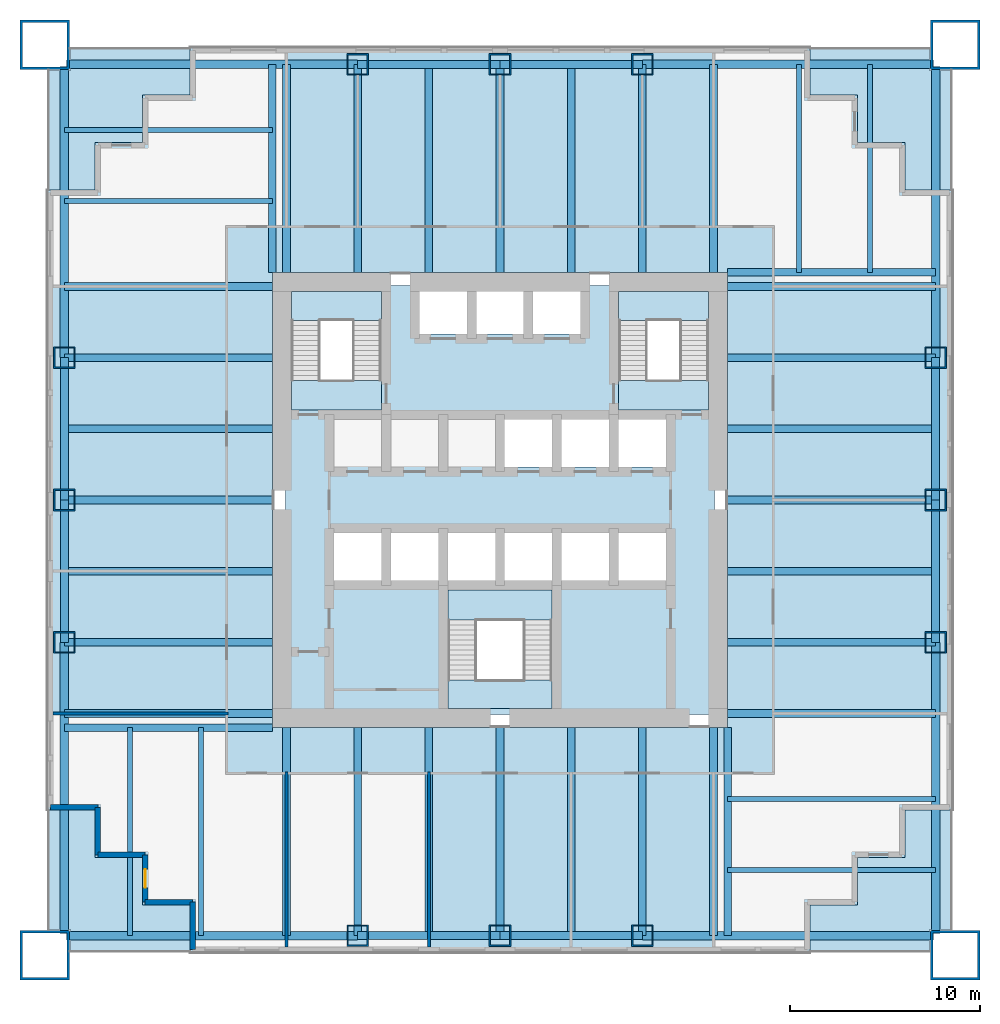
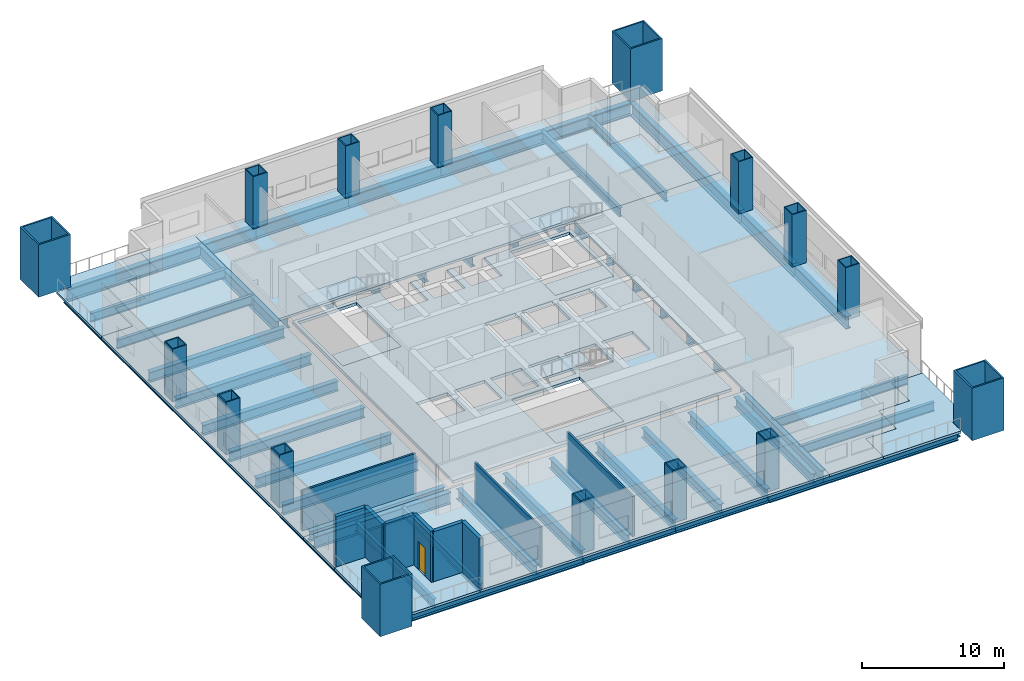
# One storey, part 1 of 6: 56 beams, 16 columns, 15 slabs, 9 walls, 1 door, 1 opening, 3 elements without a shape of their own.
"""IFC4 building model written with IfcOpenShell, lengths in metres."""

from ifc_helpers import new_model, si_unit, direction, frame, frame_2d, origin, origin_2d, place, context, subcontext, project, spatial, polyline, rectangle, hollow_rectangle, i_section, outline, extrude, material, layer, layer_set, material_profile, profile_set, type_object, element, fill, aggregate, save


model = new_model("IFC4")

# Units and contexts
model_context = context("Model", 3, precision=1e-05, world=origin(), true_north=direction((0.0, 1.0)))
body_context = subcontext(model_context, "Body", "Model", "MODEL_VIEW")
ifc_project = project(units=[si_unit("LENGTHUNIT", "METRE"), si_unit("AREAUNIT", "SQUARE_METRE"), si_unit("VOLUMEUNIT", "CUBIC_METRE"), si_unit("PLANEANGLEUNIT", "RADIAN"), si_unit("MASSUNIT", "GRAM", prefix="KILO")], contexts=[model_context])

# Site, building, storey
site_placement = place(None, origin())
site = spatial("IfcSite", under=ifc_project, at=site_placement, CompositionType="ELEMENT")
building_placement = place(site_placement, origin())
building = spatial("IfcBuilding", under=site, at=building_placement, Name="Tarangal Relay Tower", CompositionType="ELEMENT")
storey_placement = place(building_placement, frame((0.0, 0.0, 113.39990234375)))
storey = spatial("IfcBuildingStorey", under=building, at=storey_placement, Name="L22", CompositionType="ELEMENT", Elevation=113.39990234375)

# Columns
ifc_material_1 = material(Name="Steel ASTM A572 Grade 42", Category="steel")
ifc_material_profile_1 = material_profile(ifc_material_1, hollow_rectangle(XDim=2.60009765625, YDim=2.60009765625, WallThickness=0.1298828125, at=origin_2d()), Name="BOX2600X2600X130")
ifc_profile_set_1 = profile_set([ifc_material_profile_1], Name="Steel ASTM A572 Grade 42")
column_type_1 = type_object("IfcColumnType", Name="Mega column BOX2600X2600X130", PredefinedType="COLUMN", material=ifc_profile_set_1)
for number, where, z_axis, x_axis, name in (
    (1, (24.0, 24.0, 0.0), (0.0, 0.0, 1.0), (1.0, 0.0, 0.0), "Mega column MC2 NE L22"),
    (2, (24.0, -24.0, 0.0), (0.0, 0.0, 1.0), (1.0, 0.0, 0.0), "Mega column MC2 SE L22"),
    (3, (-24.0, -24.0, 0.0), (0.0, 0.0, 1.0), (1.0, 0.0, 0.0), "Mega column MC2 SW L22"),
    (4, (-24.0, 24.0, 0.0), (0.0, 0.0, 1.0), (1.0, 0.0, 0.0), "Mega column MC2 NW L22"),
):
    element("IfcColumn", number, at=place(storey_placement, frame(where, z_axis=z_axis, x_axis=x_axis)), inside=storey, type_object=column_type_1, Name=name, PredefinedType="COLUMN", context=body_context, shape_type="SweptSolid", body=[
        extrude(hollow_rectangle(XDim=2.60009765625, YDim=2.60009765625, WallThickness=0.1298828125, at=origin_2d()), origin(), (0.0, 0.0, 1.0), 4.5),
    ])
ifc_material_2 = material(Name="Steel ASTM A572 Grade 50", Category="steel")
ifc_material_profile_2 = material_profile(ifc_material_2, hollow_rectangle(XDim=1.14990234375, YDim=1.14990234375, WallThickness=0.074951171875, at=origin_2d()), Name="BOX1150X1150X75")
ifc_profile_set_2 = profile_set([ifc_material_profile_2], Name="Steel ASTM A572 Grade 50")
column_type_2 = type_object("IfcColumnType", Name="Perimeter column BOX1150X1150X75", PredefinedType="COLUMN", material=ifc_profile_set_2)
for number, where, z_axis, x_axis, name in (
    (5, (-7.5, 22.965087890625, 0.0), (0.0, 0.0, 1.0), (1.0, 0.0, 0.0), "Perimeter column PC3 N L22"),
    (6, (0.0, 22.965087890625, 0.0), (0.0, 0.0, 1.0), (1.0, 0.0, 0.0), "Perimeter column PC3 N L22"),
    (7, (7.5, 22.965087890625, 0.0), (0.0, 0.0, 1.0), (1.0, 0.0, 0.0), "Perimeter column PC3 N L22"),
    (8, (22.965087890625, 7.5, 0.0), (0.0, 0.0, 1.0), (1.0, 0.0, 0.0), "Perimeter column PC3 E L22"),
    (9, (22.965087890625, 0.0, 0.0), (0.0, 0.0, 1.0), (1.0, 0.0, 0.0), "Perimeter column PC3 E L22"),
    (10, (22.965087890625, -7.5, 0.0), (0.0, 0.0, 1.0), (1.0, 0.0, 0.0), "Perimeter column PC3 E L22"),
    (11, (7.5, -22.965087890625, 0.0), (0.0, 0.0, 1.0), (1.0, 0.0, 0.0), "Perimeter column PC3 S L22"),
    (12, (0.0, -22.965087890625, 0.0), (0.0, 0.0, 1.0), (1.0, 0.0, 0.0), "Perimeter column PC3 S L22"),
    (13, (-7.5, -22.965087890625, 0.0), (0.0, 0.0, 1.0), (1.0, 0.0, 0.0), "Perimeter column PC3 S L22"),
    (14, (-22.965087890625, -7.5, 0.0), (0.0, 0.0, 1.0), (1.0, 0.0, 0.0), "Perimeter column PC3 W L22"),
    (15, (-22.965087890625, 0.0, 0.0), (0.0, 0.0, 1.0), (1.0, 0.0, 0.0), "Perimeter column PC3 W L22"),
    (16, (-22.965087890625, 7.5, 0.0), (0.0, 0.0, 1.0), (1.0, 0.0, 0.0), "Perimeter column PC3 W L22"),
):
    element("IfcColumn", number, at=place(storey_placement, frame(where, z_axis=z_axis, x_axis=x_axis)), inside=storey, type_object=column_type_2, Name=name, PredefinedType="COLUMN", context=body_context, shape_type="SweptSolid", body=[
        extrude(hollow_rectangle(XDim=1.14990234375, YDim=1.14990234375, WallThickness=0.074951171875, at=origin_2d()), origin(), (0.0, 0.0, 1.0), 4.5),
    ])

# Beams
ifc_material_3 = material(Name="Steel ASTM A992", Category="steel")
ifc_material_profile_3 = material_profile(ifc_material_3, i_section(OverallWidth=0.2666015625, OverallDepth=0.76953125, WebThickness=0.015625, FlangeThickness=0.025390625, at=origin_2d()), Name="W30X132")
ifc_profile_set_3 = profile_set([ifc_material_profile_3], Name="Steel ASTM A992")
beam_type_1 = type_object("IfcBeamType", Name="Corner beam W30X132", PredefinedType="JOIST", material=ifc_profile_set_3)
for number, where, z_axis, x_axis, name in (
    (17, (15.75, 12.0, -0.584716796875), (0.0, 1.0, 0.0), (-1.0, 0.0, 0.0), "Corner beam CB13 N L22"),
    (18, (19.5, 12.0, -0.584716796875), (0.0, 1.0, 0.0), (-1.0, 0.0, 0.0), "Corner beam CB13 N L22"),
    (19, (12.0, -15.75, -0.584716796875), (1.0, 0.0, 0.0), (0.0, 1.0, 0.0), "Corner beam CB13 E L22"),
    (20, (12.0, -19.5, -0.584716796875), (1.0, 0.0, 0.0), (0.0, 1.0, 0.0), "Corner beam CB13 E L22"),
    (21, (-15.75, -12.0, -0.584716796875), (0.0, -1.0, 0.0), (1.0, 0.0, 0.0), "Corner beam CB13 S L22"),
    (22, (-19.5, -12.0, -0.584716796875), (0.0, -1.0, 0.0), (1.0, 0.0, 0.0), "Corner beam CB13 S L22"),
    (23, (-12.0, 15.75, -0.584716796875), (-1.0, 0.0, 0.0), (0.0, -1.0, 0.0), "Corner beam CB13 W L22"),
    (24, (-12.0, 19.5, -0.584716796875), (-1.0, 0.0, 0.0), (0.0, -1.0, 0.0), "Corner beam CB13 W L22"),
):
    element("IfcBeam", number, at=place(storey_placement, frame(where, z_axis=z_axis, x_axis=x_axis)), inside=storey, type_object=beam_type_1, Name=name, PredefinedType="JOIST", context=body_context, shape_type="SweptSolid", body=[
        extrude(i_section(OverallWidth=0.2666015625, OverallDepth=0.76953125, WebThickness=0.015625, FlangeThickness=0.025390625, at=origin_2d()), origin(), (0.0, 0.0, 1.0), 10.965087890625),
    ])
ifc_material_profile_4 = material_profile(ifc_material_3, i_section(OverallWidth=0.4013671875, OverallDepth=1.01611328125, WebThickness=0.02099609375, FlangeThickness=0.0400390625, at=origin_2d()), Name="W40X277")
ifc_profile_set_4 = profile_set([ifc_material_profile_4], Name="Steel ASTM A992")
beam_type_2 = type_object("IfcBeamType", Name="Corner girder W40X277", PredefinedType="BEAM", material=ifc_profile_set_4)
for number, where, z_axis, x_axis, name in (
    (25, (12.0, 12.0, -0.7080078125), (1.0, 0.0, 0.0), (0.0, 1.0, 0.0), "Corner girder CG3 N L22"),
    (26, (12.0, -12.0, -0.7080078125), (0.0, -1.0, 0.0), (1.0, 0.0, 0.0), "Corner girder CG3 E L22"),
    (27, (-12.0, -12.0, -0.7080078125), (-1.0, 0.0, 0.0), (0.0, -1.0, 0.0), "Corner girder CG3 S L22"),
    (28, (-12.0, 12.0, -0.7080078125), (0.0, 1.0, 0.0), (-1.0, 0.0, 0.0), "Corner girder CG3 W L22"),
):
    element("IfcBeam", number, at=place(storey_placement, frame(where, z_axis=z_axis, x_axis=x_axis)), inside=storey, type_object=beam_type_2, Name=name, PredefinedType="BEAM", context=body_context, shape_type="SweptSolid", body=[
        extrude(i_section(OverallWidth=0.4013671875, OverallDepth=1.01611328125, WebThickness=0.02099609375, FlangeThickness=0.0400390625, at=origin_2d()), origin(), (0.0, 0.0, 1.0), 10.965087890625),
    ])
ifc_material_profile_5 = material_profile(ifc_material_3, i_section(OverallWidth=0.41650390625, OverallDepth=1.0693359375, WebThickness=0.0390625, FlangeThickness=0.070068359375, at=origin_2d()), Name="W40X503")
ifc_profile_set_5 = profile_set([ifc_material_profile_5], Name="Steel ASTM A992")
beam_type_3 = type_object("IfcBeamType", Name="Edge girder W40X503", PredefinedType="SPANDREL", material=ifc_profile_set_5)
for number, where, z_axis, x_axis, name in (
    (29, (-7.5, 22.965087890625, -0.734619140625), (1.0, 0.0, 0.0), (0.0, 1.0, 0.0), "Edge girder EG8 N L22"),
    (30, (0.0, 22.965087890625, -0.734619140625), (1.0, 0.0, 0.0), (0.0, 1.0, 0.0), "Edge girder EG8 N L22"),
    (31, (22.965087890625, 7.5, -0.734619140625), (0.0, -1.0, 0.0), (1.0, 0.0, 0.0), "Edge girder EG8 E L22"),
    (32, (22.965087890625, 0.0, -0.734619140625), (0.0, -1.0, 0.0), (1.0, 0.0, 0.0), "Edge girder EG8 E L22"),
    (33, (7.5, -22.965087890625, -0.734619140625), (-1.0, 0.0, 0.0), (0.0, -1.0, 0.0), "Edge girder EG8 S L22"),
    (34, (0.0, -22.965087890625, -0.734619140625), (-1.0, 0.0, 0.0), (0.0, -1.0, 0.0), "Edge girder EG8 S L22"),
    (35, (-22.965087890625, -7.5, -0.734619140625), (0.0, 1.0, 0.0), (-1.0, 0.0, 0.0), "Edge girder EG8 W L22"),
    (36, (-22.965087890625, 0.0, -0.734619140625), (0.0, 1.0, 0.0), (-1.0, 0.0, 0.0), "Edge girder EG8 W L22"),
):
    element("IfcBeam", number, at=place(storey_placement, frame(where, z_axis=z_axis, x_axis=x_axis)), inside=storey, type_object=beam_type_3, Name=name, PredefinedType="SPANDREL", context=body_context, shape_type="SweptSolid", body=[
        extrude(i_section(OverallWidth=0.41650390625, OverallDepth=1.0693359375, WebThickness=0.0390625, FlangeThickness=0.070068359375, at=origin_2d()), origin(), (0.0, 0.0, 1.0), 7.5),
    ])
ifc_material_profile_6 = material_profile(ifc_material_3, i_section(OverallWidth=0.42919921875, OverallDepth=1.107421875, WebThickness=0.050048828125, FlangeThickness=0.08984375, at=origin_2d()), Name="W40X655")
ifc_profile_set_6 = profile_set([ifc_material_profile_6], Name="Steel ASTM A992")
beam_type_4 = type_object("IfcBeamType", Name="Edge girder W40X655", PredefinedType="SPANDREL", material=ifc_profile_set_6)
for number, where, z_axis, x_axis, name in (
    (37, (-22.85009765625, 22.965087890625, -0.753662109375), (1.0, 0.0, 0.0), (0.0, 1.0, 0.0), "Edge girder EG10 N L22"),
    (38, (7.5, 22.965087890625, -0.753662109375), (1.0, 0.0, 0.0), (0.0, 1.0, 0.0), "Edge girder EG10 N L22"),
    (39, (22.965087890625, 22.85009765625, -0.753662109375), (0.0, -1.0, 0.0), (1.0, 0.0, 0.0), "Edge girder EG10 E L22"),
    (40, (22.965087890625, -7.5, -0.753662109375), (0.0, -1.0, 0.0), (1.0, 0.0, 0.0), "Edge girder EG10 E L22"),
    (41, (22.85009765625, -22.965087890625, -0.753662109375), (-1.0, 0.0, 0.0), (0.0, -1.0, 0.0), "Edge girder EG10 S L22"),
    (42, (-7.5, -22.965087890625, -0.753662109375), (-1.0, 0.0, 0.0), (0.0, -1.0, 0.0), "Edge girder EG10 S L22"),
    (43, (-22.965087890625, -22.85009765625, -0.753662109375), (0.0, 1.0, 0.0), (-1.0, 0.0, 0.0), "Edge girder EG10 W L22"),
    (44, (-22.965087890625, 7.5, -0.753662109375), (0.0, 1.0, 0.0), (-1.0, 0.0, 0.0), "Edge girder EG10 W L22"),
):
    element("IfcBeam", number, at=place(storey_placement, frame(where, z_axis=z_axis, x_axis=x_axis)), inside=storey, type_object=beam_type_4, Name=name, PredefinedType="SPANDREL", context=body_context, shape_type="SweptSolid", body=[
        extrude(i_section(OverallWidth=0.42919921875, OverallDepth=1.107421875, WebThickness=0.050048828125, FlangeThickness=0.08984375, at=origin_2d()), origin(), (0.0, 0.0, 1.0), 15.35009765625),
    ])
ifc_material_profile_7 = material_profile(ifc_material_3, i_section(OverallWidth=0.40380859375, OverallDepth=0.86865234375, WebThickness=0.02099609375, FlangeThickness=0.03564453125, at=origin_2d()), Name="W33X241")
ifc_profile_set_7 = profile_set([ifc_material_profile_7], Name="Steel ASTM A992")
beam_type_5 = type_object("IfcBeamType", Name="Floor beam W33X241", PredefinedType="BEAM", material=ifc_profile_set_7)
for number, where, z_axis, x_axis, name in (
    (45, (-11.25, 12.0, -0.63427734375), (0.0, 1.0, 0.0), (-1.0, 0.0, 0.0), "Floor beam RB11 N L22"),
    (46, (-7.5, 12.0, -0.63427734375), (0.0, 1.0, 0.0), (-1.0, 0.0, 0.0), "Floor beam RB11 N L22"),
    (47, (-3.75, 12.0, -0.63427734375), (0.0, 1.0, 0.0), (-1.0, 0.0, 0.0), "Floor beam RB11 N L22"),
    (48, (0.0, 12.0, -0.63427734375), (0.0, 1.0, 0.0), (-1.0, 0.0, 0.0), "Floor beam RB11 N L22"),
    (49, (3.75, 12.0, -0.63427734375), (0.0, 1.0, 0.0), (-1.0, 0.0, 0.0), "Floor beam RB11 N L22"),
    (50, (7.5, 12.0, -0.63427734375), (0.0, 1.0, 0.0), (-1.0, 0.0, 0.0), "Floor beam RB11 N L22"),
    (51, (11.25, 12.0, -0.63427734375), (0.0, 1.0, 0.0), (-1.0, 0.0, 0.0), "Floor beam RB11 N L22"),
    (52, (12.0, 11.25, -0.63427734375), (1.0, 0.0, 0.0), (0.0, 1.0, 0.0), "Floor beam RB11 E L22"),
    (53, (12.0, 7.5, -0.63427734375), (1.0, 0.0, 0.0), (0.0, 1.0, 0.0), "Floor beam RB11 E L22"),
    (54, (12.0, 3.75, -0.63427734375), (1.0, 0.0, 0.0), (0.0, 1.0, 0.0), "Floor beam RB11 E L22"),
    (55, (12.0, 0.0, -0.63427734375), (1.0, 0.0, 0.0), (0.0, 1.0, 0.0), "Floor beam RB11 E L22"),
    (56, (12.0, -3.75, -0.63427734375), (1.0, 0.0, 0.0), (0.0, 1.0, 0.0), "Floor beam RB11 E L22"),
    (57, (12.0, -7.5, -0.63427734375), (1.0, 0.0, 0.0), (0.0, 1.0, 0.0), "Floor beam RB11 E L22"),
    (58, (12.0, -11.25, -0.63427734375), (1.0, 0.0, 0.0), (0.0, 1.0, 0.0), "Floor beam RB11 E L22"),
    (59, (11.25, -12.0, -0.63427734375), (0.0, -1.0, 0.0), (1.0, 0.0, 0.0), "Floor beam RB11 S L22"),
    (60, (7.5, -12.0, -0.63427734375), (0.0, -1.0, 0.0), (1.0, 0.0, 0.0), "Floor beam RB11 S L22"),
    (61, (3.75, -12.0, -0.63427734375), (0.0, -1.0, 0.0), (1.0, 0.0, 0.0), "Floor beam RB11 S L22"),
    (62, (0.0, -12.0, -0.63427734375), (0.0, -1.0, 0.0), (1.0, 0.0, 0.0), "Floor beam RB11 S L22"),
    (63, (-3.75, -12.0, -0.63427734375), (0.0, -1.0, 0.0), (1.0, 0.0, 0.0), "Floor beam RB11 S L22"),
    (64, (-7.5, -12.0, -0.63427734375), (0.0, -1.0, 0.0), (1.0, 0.0, 0.0), "Floor beam RB11 S L22"),
    (65, (-11.25, -12.0, -0.63427734375), (0.0, -1.0, 0.0), (1.0, 0.0, 0.0), "Floor beam RB11 S L22"),
    (66, (-12.0, -11.25, -0.63427734375), (-1.0, 0.0, 0.0), (0.0, -1.0, 0.0), "Floor beam RB11 W L22"),
    (67, (-12.0, -7.5, -0.63427734375), (-1.0, 0.0, 0.0), (0.0, -1.0, 0.0), "Floor beam RB11 W L22"),
    (68, (-12.0, -3.75, -0.63427734375), (-1.0, 0.0, 0.0), (0.0, -1.0, 0.0), "Floor beam RB11 W L22"),
    (69, (-12.0, 0.0, -0.63427734375), (-1.0, 0.0, 0.0), (0.0, -1.0, 0.0), "Floor beam RB11 W L22"),
    (70, (-12.0, 3.75, -0.63427734375), (-1.0, 0.0, 0.0), (0.0, -1.0, 0.0), "Floor beam RB11 W L22"),
    (71, (-12.0, 7.5, -0.63427734375), (-1.0, 0.0, 0.0), (0.0, -1.0, 0.0), "Floor beam RB11 W L22"),
    (72, (-12.0, 11.25, -0.63427734375), (-1.0, 0.0, 0.0), (0.0, -1.0, 0.0), "Floor beam RB11 W L22"),
):
    element("IfcBeam", number, at=place(storey_placement, frame(where, z_axis=z_axis, x_axis=x_axis)), inside=storey, type_object=beam_type_5, Name=name, PredefinedType="BEAM", context=body_context, shape_type="SweptSolid", body=[
        extrude(i_section(OverallWidth=0.40380859375, OverallDepth=0.86865234375, WebThickness=0.02099609375, FlangeThickness=0.03564453125, at=origin_2d()), origin(), (0.0, 0.0, 1.0), 10.965087890625),
    ])

# Slabs
ifc_material_4 = material(Name="Concrete fc' 35 MPa", Category="concrete")
ifc_layer_1 = layer(ifc_material_4, 0.25)
ifc_layer_set_1 = layer_set([ifc_layer_1], Name="Core floor slab 250")
slab_type_1 = type_object("IfcSlabType", Name="Core floor slab 250", PredefinedType="FLOOR", material=ifc_layer_set_1)
slab_1_placement = place(storey_placement, frame((0.0, 0.0, -0.25)))
element("IfcSlab", 73, at=slab_1_placement, inside=storey, type_object=slab_type_1, Name="Core floor slab L22", PredefinedType="FLOOR", context=body_context, shape_type="SweptSolid", body=[
    extrude(outline(polyline([(11.300048828125, 11.300048828125), (11.300048828125, -11.300048828125), (-11.300048828125, -11.300048828125), (-11.300048828125, 11.300048828125), (-4.25, 11.300048828125), (-4.25, 8.75), (-1.75, 8.75), (-1.75, 11.300048828125), (-1.25, 11.300048828125), (-1.25, 8.75), (1.25, 8.75), (1.25, 11.300048828125), (1.75, 11.300048828125), (1.75, 8.75), (4.25, 8.75), (4.25, 11.300048828125), (11.300048828125, 11.300048828125)]), holes=[polyline([(2.75, -4.75), (-2.75, -4.75), (-2.75, -11.0), (2.75, -11.0), (2.75, -4.75)]), polyline([(-6.25, -4.25), (-6.25, -1.75), (-8.75, -1.75), (-8.75, -4.25), (-6.25, -4.25)]), polyline([(-3.25, -4.25), (-3.25, -1.75), (-5.75, -1.75), (-5.75, -4.25), (-3.25, -4.25)]), polyline([(-0.25, -4.25), (-0.25, -1.75), (-2.75, -1.75), (-2.75, -4.25), (-0.25, -4.25)]), polyline([(2.75, 1.75), (2.75, 4.25), (0.25, 4.25), (0.25, 1.75), (2.75, 1.75)]), polyline([(-6.25, 4.75), (-6.25, 11.0), (-11.0, 11.0), (-11.0, 4.75), (-6.25, 4.75)]), polyline([(2.75, -4.25), (2.75, -1.75), (0.25, -1.75), (0.25, -4.25), (2.75, -4.25)]), polyline([(5.75, -4.25), (5.75, -1.75), (3.25, -1.75), (3.25, -4.25), (5.75, -4.25)]), polyline([(8.75, -4.25), (8.75, -1.75), (6.25, -1.75), (6.25, -4.25), (8.75, -4.25)]), polyline([(5.75, 1.75), (5.75, 4.25), (3.25, 4.25), (3.25, 1.75), (5.75, 1.75)]), polyline([(8.75, 1.75), (8.75, 4.25), (6.25, 4.25), (6.25, 1.75), (8.75, 1.75)]), polyline([(11.0, 4.75), (11.0, 11.0), (6.25, 11.0), (6.25, 4.75), (11.0, 4.75)])]), origin(), (0.0, 0.0, 1.0), 0.25),
])
ifc_layer_2 = layer(ifc_material_4, 0.199951171875)
ifc_layer_set_2 = layer_set([ifc_layer_2], Name="Floor slab 200")
slab_type_2 = type_object("IfcSlabType", Name="Floor slab 200", PredefinedType="FLOOR", material=ifc_layer_set_2)
slab_2_placement = place(storey_placement, frame((0.0, 0.0, -0.199951171875)))
element("IfcSlab", 74, at=slab_2_placement, inside=storey, type_object=slab_type_2, Name="Floor slab FS2 L22 north bay", PredefinedType="FLOOR", context=body_context, shape_type="SweptSolid", body=[
    extrude(outline(polyline([(16.35009765625, 23.85009765625), (16.35009765625, 21.35009765625), (18.85009765625, 21.35009765625), (18.85009765625, 18.85009765625), (21.35009765625, 18.85009765625), (21.35009765625, 16.35009765625), (23.85009765625, 16.35009765625), (23.85009765625, 12.0), (-12.0, 12.0), (-12.0, 23.85009765625), (16.35009765625, 23.85009765625)])), origin(), (0.0, 0.0, 1.0), 0.199951171875),
])
slab_3_placement = place(storey_placement, frame((0.0, 0.0, -0.199951171875)))
element("IfcSlab", 75, at=slab_3_placement, inside=storey, type_object=slab_type_2, Name="Floor slab FS2 L22 east bay", PredefinedType="FLOOR", context=body_context, shape_type="SweptSolid", body=[
    extrude(outline(polyline([(23.85009765625, -16.35009765625), (21.35009765625, -16.35009765625), (21.35009765625, -18.85009765625), (18.85009765625, -18.85009765625), (18.85009765625, -21.35009765625), (16.35009765625, -21.35009765625), (16.35009765625, -23.85009765625), (12.0, -23.85009765625), (12.0, 12.0), (23.85009765625, 12.0), (23.85009765625, -16.35009765625)])), origin(), (0.0, 0.0, 1.0), 0.199951171875),
])
slab_4_placement = place(storey_placement, frame((0.0, 0.0, -0.199951171875)))
element("IfcSlab", 76, at=slab_4_placement, inside=storey, type_object=slab_type_2, Name="Floor slab FS2 L22 south bay", PredefinedType="FLOOR", context=body_context, shape_type="SweptSolid", body=[
    extrude(outline(polyline([(-16.35009765625, -23.85009765625), (-16.35009765625, -21.35009765625), (-18.85009765625, -21.35009765625), (-18.85009765625, -18.85009765625), (-21.35009765625, -18.85009765625), (-21.35009765625, -16.35009765625), (-23.85009765625, -16.35009765625), (-23.85009765625, -12.0), (12.0, -12.0), (12.0, -23.85009765625), (-16.35009765625, -23.85009765625)])), origin(), (0.0, 0.0, 1.0), 0.199951171875),
])
slab_5_placement = place(storey_placement, frame((0.0, 0.0, -0.199951171875)))
element("IfcSlab", 77, at=slab_5_placement, inside=storey, type_object=slab_type_2, Name="Floor slab FS2 L22 west bay", PredefinedType="FLOOR", context=body_context, shape_type="SweptSolid", body=[
    extrude(outline(polyline([(-12.0, 23.85009765625), (-12.0, -12.0), (-23.85009765625, -12.0), (-23.85009765625, 16.35009765625), (-21.35009765625, 16.35009765625), (-21.35009765625, 18.85009765625), (-18.85009765625, 18.85009765625), (-18.85009765625, 21.35009765625), (-16.35009765625, 21.35009765625), (-16.35009765625, 23.85009765625), (-12.0, 23.85009765625)])), origin(), (0.0, 0.0, 1.0), 0.199951171875),
])

# Stair, slabs
ifc_material_5 = material(Name="Steel ASTM A992 stair flight", Category="steel")
stair_type = type_object("IfcStairType", Name="Core stair 1500", PredefinedType="HALF_TURN_STAIR", material=ifc_material_5)
stair_1_placement = place(storey_placement, origin())
stair_1 = element("IfcStair", 78, at=stair_1_placement, inside=storey, type_object=stair_type, Name="Stair ST-A L22", PredefinedType="HALF_TURN_STAIR")
ifc_layer_3 = layer(ifc_material_4, 0.199951171875)
ifc_layer_set_3 = layer_set([ifc_layer_3], Name="Stair landing 200")
slab_type_3 = type_object("IfcSlabType", Name="Stair landing 200", PredefinedType="LANDING", material=ifc_layer_set_3)
slab_6_placement = place(storey_placement, frame((0.0, 0.0, -0.199951171875)))
slab_6 = element("IfcSlab", 79, at=slab_6_placement, type_object=slab_type_3, Name="ST-A landing 1", PredefinedType="LANDING", context=body_context, shape_type="SweptSolid", body=[
    extrude(outline(polyline([(-11.0, 4.75), (-6.25, 4.75), (-6.25, 6.300048828125), (-11.0, 6.300048828125), (-11.0, 4.75)])), origin(), (0.0, 0.0, 1.0), 0.199951171875),
])
slab_7_placement = place(storey_placement, frame((0.0, 0.0, 2.050048828125)))
slab_7 = element("IfcSlab", 80, at=slab_7_placement, type_object=slab_type_3, Name="ST-A landing 2", PredefinedType="LANDING", context=body_context, shape_type="SweptSolid", body=[
    extrude(outline(polyline([(-11.0, 9.468017578125), (-6.25, 9.468017578125), (-6.25, 11.0), (-11.0, 11.0), (-11.0, 9.468017578125)])), origin(), (0.0, 0.0, 1.0), 0.199951171875),
])
aggregate(stair_1, [slab_6, slab_7])

stair_2_placement = place(storey_placement, origin())
stair_2 = element("IfcStair", 81, at=stair_2_placement, inside=storey, type_object=stair_type, Name="Stair ST-B L22", PredefinedType="HALF_TURN_STAIR")
slab_8_placement = place(storey_placement, frame((0.0, 0.0, -0.199951171875)))
slab_8 = element("IfcSlab", 82, at=slab_8_placement, type_object=slab_type_3, Name="ST-B landing 1", PredefinedType="LANDING", context=body_context, shape_type="SweptSolid", body=[
    extrude(outline(polyline([(6.25, 4.75), (11.0, 4.75), (11.0, 6.300048828125), (6.25, 6.300048828125), (6.25, 4.75)])), origin(), (0.0, 0.0, 1.0), 0.199951171875),
])
slab_9_placement = place(storey_placement, frame((0.0, 0.0, 2.050048828125)))
slab_9 = element("IfcSlab", 83, at=slab_9_placement, type_object=slab_type_3, Name="ST-B landing 2", PredefinedType="LANDING", context=body_context, shape_type="SweptSolid", body=[
    extrude(outline(polyline([(6.25, 9.468017578125), (11.0, 9.468017578125), (11.0, 11.0), (6.25, 11.0), (6.25, 9.468017578125)])), origin(), (0.0, 0.0, 1.0), 0.199951171875),
])
aggregate(stair_2, [slab_8, slab_9])

stair_3_placement = place(storey_placement, origin())
stair_3 = element("IfcStair", 84, at=stair_3_placement, inside=storey, type_object=stair_type, Name="Stair ST-C L22", PredefinedType="HALF_TURN_STAIR")
slab_10_placement = place(storey_placement, frame((0.0, 0.0, -0.199951171875)))
slab_10 = element("IfcSlab", 85, at=slab_10_placement, type_object=slab_type_3, Name="ST-C landing 1", PredefinedType="LANDING", context=body_context, shape_type="SweptSolid", body=[
    extrude(outline(polyline([(-2.75, -11.0), (2.75, -11.0), (2.75, -9.5), (-2.75, -9.5), (-2.75, -11.0)])), origin(), (0.0, 0.0, 1.0), 0.199951171875),
])
slab_11_placement = place(storey_placement, frame((0.0, 0.0, 2.050048828125)))
slab_11 = element("IfcSlab", 86, at=slab_11_placement, type_object=slab_type_3, Name="ST-C landing 2", PredefinedType="LANDING", context=body_context, shape_type="SweptSolid", body=[
    extrude(outline(polyline([(-2.75, -6.33203125), (2.75, -6.33203125), (2.75, -4.75), (-2.75, -4.75), (-2.75, -6.33203125)])), origin(), (0.0, 0.0, 1.0), 0.199951171875),
])
aggregate(stair_3, [slab_10, slab_11])

# Slabs
ifc_layer_4 = layer(ifc_material_4, 0.199951171875)
ifc_layer_set_4 = layer_set([ifc_layer_4], Name="Terrace slab 200")
slab_type_4 = type_object("IfcSlabType", Name="Terrace slab 200", PredefinedType="FLOOR", material=ifc_layer_set_4)
slab_12_placement = place(storey_placement, frame((0.0, 0.0, -0.199951171875)))
element("IfcSlab", 87, at=slab_12_placement, inside=storey, type_object=slab_type_4, Name="Corner terrace NE L22", PredefinedType="FLOOR", context=body_context, shape_type="SweptSolid", body=[
    extrude(outline(polyline([(16.35009765625, 23.85009765625), (16.35009765625, 21.35009765625), (18.85009765625, 21.35009765625), (18.85009765625, 18.85009765625), (21.35009765625, 18.85009765625), (21.35009765625, 16.35009765625), (23.85009765625, 16.35009765625), (23.85009765625, 22.64990234375), (22.64990234375, 22.64990234375), (22.64990234375, 23.85009765625), (16.35009765625, 23.85009765625)])), origin(), (0.0, 0.0, 1.0), 0.199951171875),
])
slab_13_placement = place(storey_placement, frame((0.0, 0.0, -0.199951171875)))
element("IfcSlab", 88, at=slab_13_placement, inside=storey, type_object=slab_type_4, Name="Corner terrace SE L22", PredefinedType="FLOOR", context=body_context, shape_type="SweptSolid", body=[
    extrude(outline(polyline([(23.85009765625, -16.35009765625), (21.35009765625, -16.35009765625), (21.35009765625, -18.85009765625), (18.85009765625, -18.85009765625), (18.85009765625, -21.35009765625), (16.35009765625, -21.35009765625), (16.35009765625, -23.85009765625), (22.64990234375, -23.85009765625), (22.64990234375, -22.64990234375), (23.85009765625, -22.64990234375), (23.85009765625, -16.35009765625)])), origin(), (0.0, 0.0, 1.0), 0.199951171875),
])
slab_14_placement = place(storey_placement, frame((0.0, 0.0, -0.199951171875)))
element("IfcSlab", 89, at=slab_14_placement, inside=storey, type_object=slab_type_4, Name="Corner terrace SW L22", PredefinedType="FLOOR", context=body_context, shape_type="SweptSolid", body=[
    extrude(outline(polyline([(-16.35009765625, -23.85009765625), (-16.35009765625, -21.35009765625), (-18.85009765625, -21.35009765625), (-18.85009765625, -18.85009765625), (-21.35009765625, -18.85009765625), (-21.35009765625, -16.35009765625), (-23.85009765625, -16.35009765625), (-23.85009765625, -22.64990234375), (-22.64990234375, -22.64990234375), (-22.64990234375, -23.85009765625), (-16.35009765625, -23.85009765625)])), origin(), (0.0, 0.0, 1.0), 0.199951171875),
])
slab_15_placement = place(storey_placement, frame((0.0, 0.0, -0.199951171875)))
element("IfcSlab", 90, at=slab_15_placement, inside=storey, type_object=slab_type_4, Name="Corner terrace NW L22", PredefinedType="FLOOR", context=body_context, shape_type="SweptSolid", body=[
    extrude(outline(polyline([(-23.85009765625, 16.35009765625), (-21.35009765625, 16.35009765625), (-21.35009765625, 18.85009765625), (-18.85009765625, 18.85009765625), (-18.85009765625, 21.35009765625), (-16.35009765625, 21.35009765625), (-16.35009765625, 23.85009765625), (-22.64990234375, 23.85009765625), (-22.64990234375, 22.64990234375), (-23.85009765625, 22.64990234375), (-23.85009765625, 16.35009765625)])), origin(), (0.0, 0.0, 1.0), 0.199951171875),
])

# Walls
ifc_material_6 = material(Name="Insulated precast concrete fc' 40 MPa", Category="concrete")
ifc_layer_5 = layer(ifc_material_6, 0.300048828125)
ifc_layer_set_5 = layer_set([ifc_layer_5], Name="Insulated precast concrete fc' 40 MPa")
wall_type_1 = type_object("IfcWallType", Name="Facade wall precast 300", PredefinedType="SOLIDWALL", material=ifc_layer_set_5)
for number, where, z_axis, x_axis, name in (
    (91, (-16.199951171875, -23.699951171875, 0.0), (0.0, 0.0, 1.0), (0.0, 1.0, 0.0), "Facade wall S facade L22"),
    (92, (-16.199951171875, -21.199951171875, 0.0), (0.0, 0.0, 1.0), (-1.0, 0.0, 0.0), "Facade wall S facade L22"),
):
    element("IfcWall", number, at=place(storey_placement, frame(where, z_axis=z_axis, x_axis=x_axis)), inside=storey, type_object=wall_type_1, Name=name, PredefinedType="SOLIDWALL", context=body_context, shape_type="SweptSolid", body=[
        extrude(rectangle(XDim=2.5, YDim=0.300048828125, at=frame_2d((1.25, 0.0))), origin(), (0.0, 0.0, 1.0), 4.300048828125),
    ])

# Wall, opening, door
wall_placement = place(storey_placement, frame((-18.699951171875, -21.199951171875, 0.0), z_axis=(0.0, 0.0, 1.0), x_axis=(0.0, 1.0, 0.0)))
wall = element("IfcWall", 93, at=wall_placement, inside=storey, type_object=wall_type_1, Name="Facade wall S facade L22", PredefinedType="SOLIDWALL", context=body_context, shape_type="SweptSolid", body=[
    extrude(rectangle(XDim=2.5, YDim=0.300048828125, at=frame_2d((1.25, 0.0))), origin(), (0.0, 0.0, 1.0), 4.300048828125),
])
opening_placement = place(wall_placement, frame((0.75, 0.0, 0.0)))
opening = element("IfcOpeningElement", 94, at=opening_placement, cuts=wall, Name="Opening TD1", PredefinedType="OPENING", context=body_context, shape_type="SweptSolid", body=[
    extrude(rectangle(XDim=1.0, YDim=2.39990234375, at=frame_2d((0.5, 1.199951171875))), frame((0.0, 0.159912109375, 0.0), z_axis=(0.0, -1.0, 0.0), x_axis=(1.0, 0.0, 0.0)), (0.0, 0.0, 1.0), 0.320068359375),
])
ifc_material_7 = material(Name="Aluminium glazed door", Category="aluminium")
door_type = type_object("IfcDoorType", Name="Terrace door 1000 x 2400", OperationType="SINGLE_SWING_RIGHT", PredefinedType="DOOR", material=ifc_material_7)
door_placement = place(opening_placement, origin())
door = element("IfcDoor", 95, at=door_placement, inside=storey, type_object=door_type, Name="Terrace door TD1 SW L22", OperationType="SINGLE_SWING_RIGHT", OverallHeight=2.39990234375, OverallWidth=1.0, PredefinedType="DOOR", context=body_context, shape_type="SweptSolid", body=[
    extrude(rectangle(XDim=1.0, YDim=2.39990234375, at=frame_2d((0.5, 1.199951171875))), frame((0.0, 0.02490234375, 0.0), z_axis=(0.0, -1.0, 0.0), x_axis=(1.0, 0.0, 0.0)), (0.0, 0.0, 1.0), 0.050048828125),
])
fill(opening, door)

# Walls
for number, where, z_axis, x_axis, name in (
    (96, (-18.699951171875, -18.699951171875, 0.0), (0.0, 0.0, 1.0), (-1.0, 0.0, 0.0), "Facade wall S facade L22"),
    (97, (-21.199951171875, -18.699951171875, 0.0), (0.0, 0.0, 1.0), (0.0, 1.0, 0.0), "Facade wall S facade L22"),
    (98, (-21.199951171875, -16.199951171875, 0.0), (0.0, 0.0, 1.0), (-1.0, 0.0, 0.0), "Facade wall S facade L22"),
):
    element("IfcWall", number, at=place(storey_placement, frame(where, z_axis=z_axis, x_axis=x_axis)), inside=storey, type_object=wall_type_1, Name=name, PredefinedType="SOLIDWALL", context=body_context, shape_type="SweptSolid", body=[
        extrude(rectangle(XDim=2.5, YDim=0.300048828125, at=frame_2d((1.25, 0.0))), origin(), (0.0, 0.0, 1.0), 4.300048828125),
    ])
ifc_material_8 = material(Name="Gypsum board on steel studs", Category="steel")
ifc_layer_6 = layer(ifc_material_8, 0.14990234375)
ifc_layer_set_6 = layer_set([ifc_layer_6], Name="Partition 150")
wall_type_2 = type_object("IfcWallType", Name="Partition 150", PredefinedType="PARTITIONING", material=ifc_layer_set_6)
for number, where, z_axis, x_axis, name in (
    (99, (-23.550048828125, -11.25, 0.0), (0.0, 0.0, 1.0), (1.0, 0.0, 0.0), "Partition PT1 L22"),
    (100, (-11.25, -23.550048828125, 0.0), (0.0, 0.0, 1.0), (0.0, 1.0, 0.0), "Partition PT1 L22"),
    (101, (-3.75, -23.550048828125, 0.0), (0.0, 0.0, 1.0), (0.0, 1.0, 0.0), "Partition PT1 L22"),
):
    element("IfcWall", number, at=place(storey_placement, frame(where, z_axis=z_axis, x_axis=x_axis)), inside=storey, type_object=wall_type_2, Name=name, PredefinedType="PARTITIONING", context=body_context, shape_type="SweptSolid", body=[
        extrude(rectangle(XDim=9.22509765625, YDim=0.14990234375, at=frame_2d((4.612548828125, 0.0))), origin(), (0.0, 0.0, 1.0), 3.431396484375),
    ])

save(model, "model.ifc")
